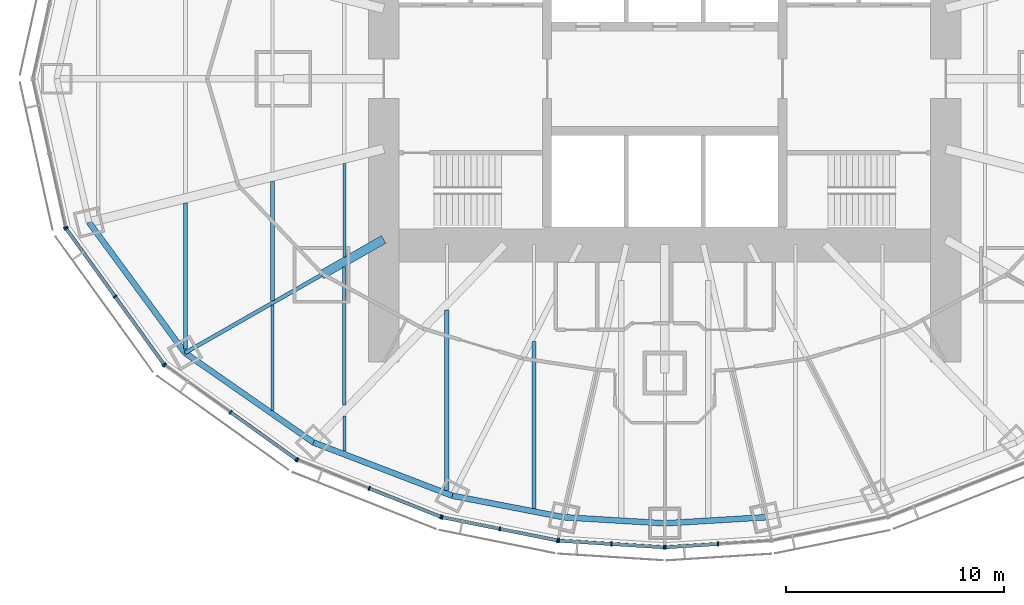
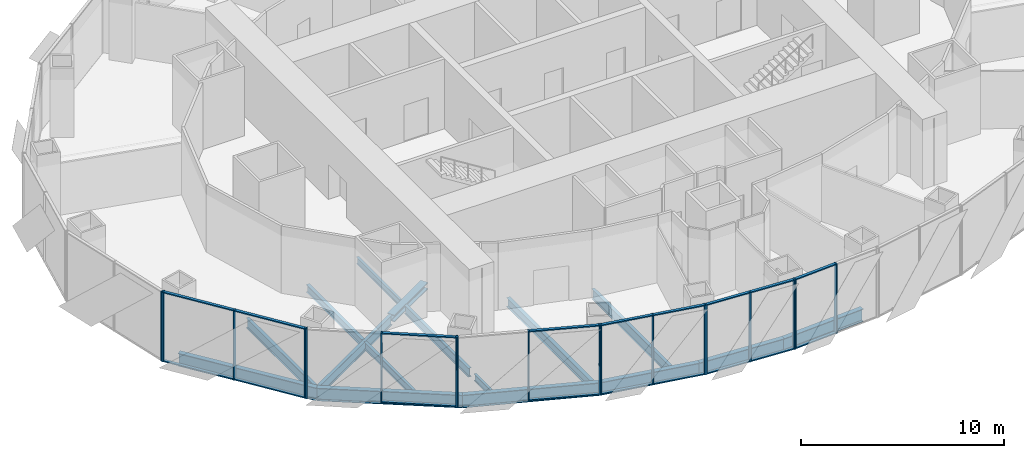
# One storey, part 2 of 18: 36 members, 16 beams, 7 elements without a shape of their own.
"""IFC4 building model written with IfcOpenShell, lengths in metres."""

from ifc_helpers import new_model, si_unit, direction, frame, origin, origin_2d, place, context, subcontext, project, spatial, rectangle, i_section, extrude, material, material_profile, profile_set, type_object, element, aggregate, save


model = new_model("IFC4")

# Units and contexts
model_context = context("Model", 3, precision=1e-05, world=origin(), true_north=direction((0.0, 1.0)))
body_context = subcontext(model_context, "Body", "Model", "MODEL_VIEW")
ifc_project = project(units=[si_unit("LENGTHUNIT", "METRE"), si_unit("AREAUNIT", "SQUARE_METRE"), si_unit("VOLUMEUNIT", "CUBIC_METRE"), si_unit("PLANEANGLEUNIT", "RADIAN"), si_unit("MASSUNIT", "GRAM", prefix="KILO")], contexts=[model_context])

# Site, building, storey
site_placement = place(None, origin())
site = spatial("IfcSite", under=ifc_project, at=site_placement, CompositionType="ELEMENT")
building_placement = place(site_placement, origin())
building = spatial("IfcBuilding", under=site, at=building_placement, Name="Lantaw Convention Tower", CompositionType="ELEMENT")
storey_placement = place(building_placement, frame((0.0, 0.0, 138.39990234375)))
storey = spatial("IfcBuildingStorey", under=building, at=storey_placement, Name="L32", CompositionType="ELEMENT", Elevation=138.39990234375)

# Beams
ifc_material_1 = material(Name="Steel ASTM A992", Category="steel")
ifc_material_profile_1 = material_profile(ifc_material_1, i_section(OverallWidth=0.2666015625, OverallDepth=0.76953125, WebThickness=0.015625, FlangeThickness=0.025390625, FilletRadius=0.0126953125, at=origin_2d()), Name="W30X132")
ifc_profile_set_1 = profile_set([ifc_material_profile_1], Name="Steel ASTM A992")
beam_type_1 = type_object("IfcBeamType", Name="Beam E W30X132", PredefinedType="SPANDREL", material=ifc_profile_set_1)
beam_1_placement = place(storey_placement, frame((-26.419921875, -6.587158203125, -0.53466796875), z_axis=(0.5923891972, -0.805651934176, 0.0), x_axis=(0.805651934176, 0.5923891972, 0.0)))
element("IfcBeam", 1, at=beam_1_placement, inside=storey, type_object=beam_type_1, Name="Edge beam 14", PredefinedType="SPANDREL", context=body_context, shape_type="SweptSolid", body=[
    extrude(i_section(OverallWidth=0.2666015625, OverallDepth=0.76953125, WebThickness=0.015625, FlangeThickness=0.025390625, FilletRadius=0.0126953125, at=origin_2d()), origin(), (0.0, 0.0, 1.0), 7.437744140625),
])
beam_2_placement = place(storey_placement, frame((-22.013916015625, -12.579345703125, -0.53466796875), z_axis=(0.820310765287, -0.57191804339, 0.0), x_axis=(0.57191804339, 0.820310765287, 0.0)))
element("IfcBeam", 2, at=beam_2_placement, inside=storey, type_object=beam_type_1, Name="Edge beam 15", PredefinedType="SPANDREL", context=body_context, shape_type="SweptSolid", body=[
    extrude(i_section(OverallWidth=0.2666015625, OverallDepth=0.76953125, WebThickness=0.015625, FlangeThickness=0.025390625, FilletRadius=0.0126953125, at=origin_2d()), origin(), (0.0, 0.0, 1.0), 7.187744140625),
])
beam_3_placement = place(storey_placement, frame((-16.11767578125, -16.690185546875, -0.53466796875), z_axis=(0.933691081977, -0.358079549033, 0.0), x_axis=(0.358079549033, 0.933691081977, 0.0)))
element("IfcBeam", 3, at=beam_3_placement, inside=storey, type_object=beam_type_1, Name="Edge beam 16", PredefinedType="SPANDREL", context=body_context, shape_type="SweptSolid", body=[
    extrude(i_section(OverallWidth=0.2666015625, OverallDepth=0.76953125, WebThickness=0.015625, FlangeThickness=0.025390625, FilletRadius=0.0126953125, at=origin_2d()), origin(), (0.0, 0.0, 1.0), 6.821533203125),
])
beam_4_placement = place(storey_placement, frame((-9.74853515625, -19.1328125, -0.53466796875), z_axis=(0.981796805654, -0.189934284446, 0.0), x_axis=(0.189934284446, 0.981796805654, 0.0)))
element("IfcBeam", 4, at=beam_4_placement, inside=storey, type_object=beam_type_1, Name="Edge beam 17", PredefinedType="SPANDREL", context=body_context, shape_type="SweptSolid", body=[
    extrude(i_section(OverallWidth=0.2666015625, OverallDepth=0.76953125, WebThickness=0.015625, FlangeThickness=0.025390625, FilletRadius=0.0126953125, at=origin_2d()), origin(), (0.0, 0.0, 1.0), 5.1982421875),
])
for number, where, z_axis, x_axis, name in (
    (5, (-4.64501953125, -20.1201171875, -0.53466796875), (0.998190892054, -0.06012439621, 0.0), (0.06012439621, 0.998190892054, 0.0), "Edge beam 18"),
    (6, (0.0, -20.39990234375, -0.53466796875), (0.998190892054, 0.06012439621, 0.0), (-0.06012439621, 0.998190892054, 0.0), "Edge beam 19"),
):
    element("IfcBeam", number, at=place(storey_placement, frame(where, z_axis=z_axis, x_axis=x_axis)), inside=storey, type_object=beam_type_1, Name=name, PredefinedType="SPANDREL", context=body_context, shape_type="SweptSolid", body=[
        extrude(i_section(OverallWidth=0.2666015625, OverallDepth=0.76953125, WebThickness=0.015625, FlangeThickness=0.025390625, FilletRadius=0.0126953125, at=origin_2d()), origin(), (0.0, 0.0, 1.0), 4.6533203125),
    ])
ifc_material_profile_2 = material_profile(ifc_material_1, i_section(OverallWidth=0.177978515625, OverallDepth=0.599365234375, WebThickness=0.010009765625, FlangeThickness=0.012939453125, FilletRadius=0.012939453125, at=origin_2d()), Name="W24X55")
ifc_profile_set_2 = profile_set([ifc_material_profile_2], Name="Steel ASTM A992")
beam_type_2 = type_object("IfcBeamType", Name="Beam G W24X55", PredefinedType="BEAM", material=ifc_profile_set_2)
beam_5_placement = place(storey_placement, frame((-15.75, -9.0, -0.44970703125), z_axis=(-0.868245224608, -0.496135293993, 0.0), x_axis=(0.496135293993, -0.868245224608, 0.0)))
element("IfcBeam", 7, at=beam_5_placement, inside=storey, type_object=beam_type_2, Name="Floor girder on ray 15", PredefinedType="BEAM", context=body_context, shape_type="SweptSolid", body=[
    extrude(i_section(OverallWidth=0.177978515625, OverallDepth=0.599365234375, WebThickness=0.010009765625, FlangeThickness=0.012939453125, FilletRadius=0.012939453125, at=origin_2d()), origin(), (0.0, 0.0, 1.0), 7.21435546875),
])
ifc_material_profile_3 = material_profile(ifc_material_1, i_section(OverallWidth=0.40380859375, OverallDepth=0.406494140625, WebThickness=0.027099609375, FlangeThickness=0.043701171875, FilletRadius=0.01513671875, at=origin_2d()), Name="W14X233")
ifc_profile_set_3 = profile_set([ifc_material_profile_3], Name="Steel ASTM A992")
beam_type_3 = type_object("IfcBeamType", Name="Beam GM W14X233", PredefinedType="BEAM", material=ifc_profile_set_3)
beam_6_placement = place(storey_placement, frame((-12.89990234375, -7.371337890625, -0.35302734375), z_axis=(-0.868238565244, -0.496146947811, 0.0), x_axis=(0.496146947811, -0.868238565244, 0.0)))
element("IfcBeam", 8, at=beam_6_placement, inside=storey, type_object=beam_type_3, Name="Core link beam on ray 15", PredefinedType="BEAM", context=body_context, shape_type="SweptSolid", body=[
    extrude(i_section(OverallWidth=0.40380859375, OverallDepth=0.406494140625, WebThickness=0.027099609375, FlangeThickness=0.043701171875, FilletRadius=0.01513671875, at=origin_2d()), origin(), (0.0, 0.0, 1.0), 3.28271484375),
])
ifc_material_profile_4 = material_profile(ifc_material_1, i_section(OverallWidth=0.140380859375, OverallDepth=0.40380859375, WebThickness=0.007080078125, FlangeThickness=0.01123046875, FilletRadius=0.01025390625, at=origin_2d()), Name="W16X31")
ifc_profile_set_4 = profile_set([ifc_material_profile_4], Name="Steel ASTM A992")
beam_type_4 = type_object("IfcBeamType", Name="Beam J W16X31", PredefinedType="JOIST", material=ifc_profile_set_4)
beam_7_placement = place(storey_placement, frame((-14.699951171875, -17.091064453125, -0.351806640625), z_axis=(0.0, 1.0, 0.0), x_axis=(-1.0, 0.0, 0.0)))
element("IfcBeam", 9, at=beam_7_placement, inside=storey, type_object=beam_type_4, Name="Floor joist", PredefinedType="JOIST", context=body_context, shape_type="SweptSolid", body=[
    extrude(i_section(OverallWidth=0.140380859375, OverallDepth=0.40380859375, WebThickness=0.007080078125, FlangeThickness=0.01123046875, FilletRadius=0.01025390625, at=origin_2d()), origin(), (0.0, 0.0, 1.0), 1.609130859375),
])
beam_8_placement = place(storey_placement, frame((-14.699951171875, -8.16748046875, -0.351806640625), z_axis=(0.0, 1.0, 0.0), x_axis=(-1.0, 0.0, 0.0)))
element("IfcBeam", 10, at=beam_8_placement, inside=storey, type_object=beam_type_4, Name="Floor joist", PredefinedType="JOIST", context=body_context, shape_type="SweptSolid", body=[
    extrude(i_section(OverallWidth=0.140380859375, OverallDepth=0.40380859375, WebThickness=0.007080078125, FlangeThickness=0.01123046875, FilletRadius=0.01025390625, at=origin_2d()), origin(), (0.0, 0.0, 1.0), 4.28515625),
])
ifc_material_profile_5 = material_profile(ifc_material_1, i_section(OverallWidth=0.15234375, OverallDepth=0.449462890625, WebThickness=0.007568359375, FlangeThickness=0.0107421875, FilletRadius=0.01025390625, at=origin_2d()), Name="W18X35")
ifc_profile_set_5 = profile_set([ifc_material_profile_5], Name="Steel ASTM A992")
beam_type_5 = type_object("IfcBeamType", Name="Beam J W18X35", PredefinedType="JOIST", material=ifc_profile_set_5)
beam_9_placement = place(storey_placement, frame((-18.0, -15.21533203125, -0.374755859375), z_axis=(0.0, 1.0, 0.0), x_axis=(-1.0, 0.0, 0.0)))
element("IfcBeam", 11, at=beam_9_placement, inside=storey, type_object=beam_type_5, Name="Floor joist", PredefinedType="JOIST", context=body_context, shape_type="SweptSolid", body=[
    extrude(i_section(OverallWidth=0.15234375, OverallDepth=0.449462890625, WebThickness=0.007568359375, FlangeThickness=0.0107421875, FilletRadius=0.01025390625, at=origin_2d()), origin(), (0.0, 0.0, 1.0), 4.8271484375),
])
ifc_material_profile_6 = material_profile(ifc_material_1, i_section(OverallWidth=0.1904296875, OverallDepth=0.457275390625, WebThickness=0.009033203125, FlangeThickness=0.014404296875, FilletRadius=0.01025390625, at=origin_2d()), Name="W18X50")
ifc_profile_set_6 = profile_set([ifc_material_profile_6], Name="Steel ASTM A992")
beam_type_6 = type_object("IfcBeamType", Name="Beam J W18X50", PredefinedType="JOIST", material=ifc_profile_set_6)
beam_10_placement = place(storey_placement, frame((-18.0, -10.18310546875, -0.37841796875), z_axis=(0.0, 1.0, 0.0), x_axis=(-1.0, 0.0, 0.0)))
element("IfcBeam", 12, at=beam_10_placement, inside=storey, type_object=beam_type_6, Name="Floor joist", PredefinedType="JOIST", context=body_context, shape_type="SweptSolid", body=[
    extrude(i_section(OverallWidth=0.1904296875, OverallDepth=0.457275390625, WebThickness=0.009033203125, FlangeThickness=0.014404296875, FilletRadius=0.01025390625, at=origin_2d()), origin(), (0.0, 0.0, 1.0), 5.47802734375),
])
ifc_material_profile_7 = material_profile(ifc_material_1, i_section(OverallWidth=0.1650390625, OverallDepth=0.52587890625, WebThickness=0.0087890625, FlangeThickness=0.011474609375, FilletRadius=0.0126953125, at=origin_2d()), Name="W21X44")
ifc_profile_set_7 = profile_set([ifc_material_profile_7], Name="Steel ASTM A992")
beam_type_7 = type_object("IfcBeamType", Name="Beam J W21X44", PredefinedType="JOIST", material=ifc_profile_set_7)
beam_11_placement = place(storey_placement, frame((-14.699951171875, -14.962646484375, -0.412841796875), z_axis=(0.0, 1.0, 0.0), x_axis=(-1.0, 0.0, 0.0)))
element("IfcBeam", 13, at=beam_11_placement, inside=storey, type_object=beam_type_7, Name="Floor joist", PredefinedType="JOIST", context=body_context, shape_type="SweptSolid", body=[
    extrude(i_section(OverallWidth=0.1650390625, OverallDepth=0.52587890625, WebThickness=0.0087890625, FlangeThickness=0.011474609375, FilletRadius=0.0126953125, at=origin_2d()), origin(), (0.0, 0.0, 1.0), 6.330078125),
])
ifc_material_profile_8 = material_profile(ifc_material_1, i_section(OverallWidth=0.2099609375, OverallDepth=0.535888671875, WebThickness=0.010986328125, FlangeThickness=0.017333984375, FilletRadius=0.012939453125, at=origin_2d()), Name="W21X68")
ifc_profile_set_8 = profile_set([ifc_material_profile_8], Name="Steel ASTM A992")
beam_type_8 = type_object("IfcBeamType", Name="Beam J W21X68", PredefinedType="JOIST", material=ifc_profile_set_8)
beam_12_placement = place(storey_placement, frame((-10.0, -18.8935546875, -0.41796875), z_axis=(0.0, 1.0, 0.0), x_axis=(-1.0, 0.0, 0.0)))
element("IfcBeam", 14, at=beam_12_placement, inside=storey, type_object=beam_type_8, Name="Floor joist", PredefinedType="JOIST", context=body_context, shape_type="SweptSolid", body=[
    extrude(i_section(OverallWidth=0.2099609375, OverallDepth=0.535888671875, WebThickness=0.010986328125, FlangeThickness=0.017333984375, FilletRadius=0.012939453125, at=origin_2d()), origin(), (0.0, 0.0, 1.0), 8.278564453125),
])
ifc_material_profile_9 = material_profile(ifc_material_1, i_section(OverallWidth=0.177978515625, OverallDepth=0.599365234375, WebThickness=0.010009765625, FlangeThickness=0.012939453125, FilletRadius=0.012939453125, at=origin_2d()), Name="W24X55")
ifc_profile_set_9 = profile_set([ifc_material_profile_9], Name="Steel ASTM A992")
beam_type_9 = type_object("IfcBeamType", Name="Beam J W24X55", PredefinedType="JOIST", material=ifc_profile_set_9)
beam_13_placement = place(storey_placement, frame((-22.0, -12.408935546875, -0.44970703125), z_axis=(0.0, 1.0, 0.0), x_axis=(-1.0, 0.0, 0.0)))
element("IfcBeam", 15, at=beam_13_placement, inside=storey, type_object=beam_type_9, Name="Floor joist", PredefinedType="JOIST", context=body_context, shape_type="SweptSolid", body=[
    extrude(i_section(OverallWidth=0.177978515625, OverallDepth=0.599365234375, WebThickness=0.010009765625, FlangeThickness=0.012939453125, FilletRadius=0.012939453125, at=origin_2d()), origin(), (0.0, 0.0, 1.0), 6.70654296875),
])
beam_14_placement = place(storey_placement, frame((-6.0, -19.72216796875, -0.44970703125), z_axis=(0.0, 1.0, 0.0), x_axis=(-1.0, 0.0, 0.0)))
element("IfcBeam", 16, at=beam_14_placement, inside=storey, type_object=beam_type_9, Name="Floor joist", PredefinedType="JOIST", context=body_context, shape_type="SweptSolid", body=[
    extrude(i_section(OverallWidth=0.177978515625, OverallDepth=0.599365234375, WebThickness=0.010009765625, FlangeThickness=0.012939453125, FilletRadius=0.012939453125, at=origin_2d()), origin(), (0.0, 0.0, 1.0), 7.666748046875),
])

# Curtain wall, member
ifc_material_2 = material(Name="Aluminium framed curtain wall", Category="aluminium")
curtain_wall_type = type_object("IfcCurtainWallType", Name="Office curtain wall low rise, pale aluminium", PredefinedType="USERDEFINED", material=ifc_material_2)
curtain_wall_1_placement = place(storey_placement, origin())
curtain_wall_1 = element("IfcCurtainWall", 17, at=curtain_wall_1_placement, inside=storey, type_object=curtain_wall_type, Name="Office curtain wall low rise, pale aluminium L32", ObjectType="UNITISED CURTAIN WALL", PredefinedType="USERDEFINED")
ifc_material_3 = material(Name="Aluminium 6063-T6", Category="aluminium")
ifc_material_profile_10 = material_profile(ifc_material_3, rectangle(XDim=0.199951171875, YDim=0.06494140625, at=origin_2d()), Name="CW-O1 mullion 65x200")
ifc_profile_set_10 = profile_set([ifc_material_profile_10], Name="Aluminium 6063-T6")
member_type_1 = type_object("IfcMemberType", Name="CW-O1 mullion 65x200", PredefinedType="MULLION", material=ifc_profile_set_10)
member_1_placement = place(storey_placement, frame((-27.494140625, -6.821533203125, -0.14990234375), z_axis=(0.0, 0.0, 1.0), x_axis=(0.9764936509, 0.215546166174, 0.0)))
member_1 = element("IfcMember", 18, at=member_1_placement, type_object=member_type_1, Name="CW-O1 mullion 3", PredefinedType="MULLION", context=body_context, shape_type="SweptSolid", body=[
    extrude(rectangle(XDim=0.199951171875, YDim=0.06494140625, at=origin_2d()), origin(), (0.0, 0.0, 1.0), 4.199951171875),
])
aggregate(curtain_wall_1, [member_1])

# Curtain wall, members
curtain_wall_2_placement = place(storey_placement, origin())
curtain_wall_2 = element("IfcCurtainWall", 19, at=curtain_wall_2_placement, inside=storey, type_object=curtain_wall_type, Name="Office curtain wall low rise, pale aluminium L32", ObjectType="UNITISED CURTAIN WALL", PredefinedType="USERDEFINED")
member_2_placement = place(storey_placement, frame((-27.46826171875, -6.879638671875, -0.14990234375), z_axis=(0.0, 0.0, 1.0), x_axis=(0.811384633629, 0.584512597221, 0.0)))
member_2 = element("IfcMember", 20, at=member_2_placement, type_object=member_type_1, Name="CW-O1 mullion 1", PredefinedType="MULLION", context=body_context, shape_type="SweptSolid", body=[
    extrude(rectangle(XDim=0.199951171875, YDim=0.06494140625, at=origin_2d()), origin(), (0.0, 0.0, 1.0), 4.199951171875),
])
member_3_placement = place(storey_placement, frame((-25.22802734375, -9.9892578125, -0.14990234375), z_axis=(0.0, 0.0, 1.0), x_axis=(0.811384633629, 0.584512597221, 0.0)))
member_3 = element("IfcMember", 21, at=member_3_placement, type_object=member_type_1, Name="CW-O1 mullion 2", PredefinedType="MULLION", context=body_context, shape_type="SweptSolid", body=[
    extrude(rectangle(XDim=0.199951171875, YDim=0.06494140625, at=origin_2d()), origin(), (0.0, 0.0, 1.0), 4.199951171875),
])
member_4_placement = place(storey_placement, frame((-22.988037109375, -13.098876953125, -0.14990234375), z_axis=(0.0, 0.0, 1.0), x_axis=(0.811384633629, 0.584512597221, 0.0)))
member_4 = element("IfcMember", 22, at=member_4_placement, type_object=member_type_1, Name="CW-O1 mullion 3", PredefinedType="MULLION", context=body_context, shape_type="SweptSolid", body=[
    extrude(rectangle(XDim=0.199951171875, YDim=0.06494140625, at=origin_2d()), origin(), (0.0, 0.0, 1.0), 4.199951171875),
])

curtain_wall_3_placement = place(storey_placement, origin())
curtain_wall_3 = element("IfcCurtainWall", 23, at=curtain_wall_3_placement, inside=storey, type_object=curtain_wall_type, Name="Office curtain wall low rise, pale aluminium L32", ObjectType="UNITISED CURTAIN WALL", PredefinedType="USERDEFINED")
member_5_placement = place(storey_placement, frame((-22.942626953125, -13.14404296875, -0.14990234375), z_axis=(0.0, 0.0, 1.0), x_axis=(0.581972695693, 0.813208325995, 0.0)))
member_5 = element("IfcMember", 24, at=member_5_placement, type_object=member_type_1, Name="CW-O1 mullion 1", PredefinedType="MULLION", context=body_context, shape_type="SweptSolid", body=[
    extrude(rectangle(XDim=0.199951171875, YDim=0.06494140625, at=origin_2d()), origin(), (0.0, 0.0, 1.0), 4.199951171875),
])
member_6_placement = place(storey_placement, frame((-19.92529296875, -15.303466796875, -0.14990234375), z_axis=(0.0, 0.0, 1.0), x_axis=(0.581972695693, 0.813208325995, 0.0)))
member_6 = element("IfcMember", 25, at=member_6_placement, type_object=member_type_1, Name="CW-O1 mullion 2", PredefinedType="MULLION", context=body_context, shape_type="SweptSolid", body=[
    extrude(rectangle(XDim=0.199951171875, YDim=0.06494140625, at=origin_2d()), origin(), (0.0, 0.0, 1.0), 4.199951171875),
])
member_7_placement = place(storey_placement, frame((-16.908203125, -17.462646484375, -0.14990234375), z_axis=(0.0, 0.0, 1.0), x_axis=(0.581972695693, 0.813208325995, 0.0)))
member_7 = element("IfcMember", 26, at=member_7_placement, type_object=member_type_1, Name="CW-O1 mullion 3", PredefinedType="MULLION", context=body_context, shape_type="SweptSolid", body=[
    extrude(rectangle(XDim=0.199951171875, YDim=0.06494140625, at=origin_2d()), origin(), (0.0, 0.0, 1.0), 4.199951171875),
])

curtain_wall_4_placement = place(storey_placement, origin())
curtain_wall_4 = element("IfcCurtainWall", 27, at=curtain_wall_4_placement, inside=storey, type_object=curtain_wall_type, Name="Office curtain wall low rise, pale aluminium L32", ObjectType="UNITISED CURTAIN WALL", PredefinedType="USERDEFINED")
member_8_placement = place(storey_placement, frame((-16.8515625, -17.49365234375, -0.14990234375), z_axis=(0.0, 0.0, 1.0), x_axis=(0.368701907483, 0.929547687544, 0.0)))
member_8 = element("IfcMember", 28, at=member_8_placement, type_object=member_type_1, Name="CW-O1 mullion 1", PredefinedType="MULLION", context=body_context, shape_type="SweptSolid", body=[
    extrude(rectangle(XDim=0.199951171875, YDim=0.06494140625, at=origin_2d()), origin(), (0.0, 0.0, 1.0), 4.199951171875),
])
member_9_placement = place(storey_placement, frame((-13.56494140625, -18.797119140625, -0.14990234375), z_axis=(0.0, 0.0, 1.0), x_axis=(0.368701907483, 0.929547687544, 0.0)))
member_9 = element("IfcMember", 29, at=member_9_placement, type_object=member_type_1, Name="CW-O1 mullion 2", PredefinedType="MULLION", context=body_context, shape_type="SweptSolid", body=[
    extrude(rectangle(XDim=0.199951171875, YDim=0.06494140625, at=origin_2d()), origin(), (0.0, 0.0, 1.0), 4.199951171875),
])
member_10_placement = place(storey_placement, frame((-10.2783203125, -20.100830078125, -0.14990234375), z_axis=(0.0, 0.0, 1.0), x_axis=(0.368701907483, 0.929547687544, 0.0)))
member_10 = element("IfcMember", 30, at=member_10_placement, type_object=member_type_1, Name="CW-O1 mullion 3", PredefinedType="MULLION", context=body_context, shape_type="SweptSolid", body=[
    extrude(rectangle(XDim=0.199951171875, YDim=0.06494140625, at=origin_2d()), origin(), (0.0, 0.0, 1.0), 4.199951171875),
])

curtain_wall_5_placement = place(storey_placement, origin())
curtain_wall_5 = element("IfcCurtainWall", 31, at=curtain_wall_5_placement, inside=storey, type_object=curtain_wall_type, Name="Office curtain wall low rise, pale aluminium L32", ObjectType="UNITISED CURTAIN WALL", PredefinedType="USERDEFINED")
member_11_placement = place(storey_placement, frame((-10.216064453125, -20.119140625, -0.14990234375), z_axis=(0.0, 0.0, 1.0), x_axis=(0.197506809659, 0.980301514912, 0.0)))
member_11 = element("IfcMember", 32, at=member_11_placement, type_object=member_type_1, Name="CW-O1 mullion 1", PredefinedType="MULLION", context=body_context, shape_type="SweptSolid", body=[
    extrude(rectangle(XDim=0.199951171875, YDim=0.06494140625, at=origin_2d()), origin(), (0.0, 0.0, 1.0), 4.199951171875),
])
member_12_placement = place(storey_placement, frame((-7.5703125, -20.65234375, -0.14990234375), z_axis=(0.0, 0.0, 1.0), x_axis=(0.197506809659, 0.980301514912, 0.0)))
member_12 = element("IfcMember", 33, at=member_12_placement, type_object=member_type_1, Name="CW-O1 mullion 2", PredefinedType="MULLION", context=body_context, shape_type="SweptSolid", body=[
    extrude(rectangle(XDim=0.199951171875, YDim=0.06494140625, at=origin_2d()), origin(), (0.0, 0.0, 1.0), 4.199951171875),
])
member_13_placement = place(storey_placement, frame((-4.92431640625, -21.185302734375, -0.14990234375), z_axis=(0.0, 0.0, 1.0), x_axis=(0.197506809659, 0.980301514912, 0.0)))
member_13 = element("IfcMember", 34, at=member_13_placement, type_object=member_type_1, Name="CW-O1 mullion 3", PredefinedType="MULLION", context=body_context, shape_type="SweptSolid", body=[
    extrude(rectangle(XDim=0.199951171875, YDim=0.06494140625, at=origin_2d()), origin(), (0.0, 0.0, 1.0), 4.199951171875),
])

curtain_wall_6_placement = place(storey_placement, origin())
curtain_wall_6 = element("IfcCurtainWall", 35, at=curtain_wall_6_placement, inside=storey, type_object=curtain_wall_type, Name="Office curtain wall low rise, pale aluminium L32", ObjectType="UNITISED CURTAIN WALL", PredefinedType="USERDEFINED")
member_14_placement = place(storey_placement, frame((-4.860107421875, -21.19384765625, -0.14990234375), z_axis=(0.0, 0.0, 1.0), x_axis=(0.062865059466, 0.998022035978, 0.0)))
member_14 = element("IfcMember", 36, at=member_14_placement, type_object=member_type_1, Name="CW-O1 mullion 1", PredefinedType="MULLION", context=body_context, shape_type="SweptSolid", body=[
    extrude(rectangle(XDim=0.199951171875, YDim=0.06494140625, at=origin_2d()), origin(), (0.0, 0.0, 1.0), 4.199951171875),
])
member_15_placement = place(storey_placement, frame((-2.4462890625, -21.345947265625, -0.14990234375), z_axis=(0.0, 0.0, 1.0), x_axis=(0.062865059466, 0.998022035978, 0.0)))
member_15 = element("IfcMember", 37, at=member_15_placement, type_object=member_type_1, Name="CW-O1 mullion 2", PredefinedType="MULLION", context=body_context, shape_type="SweptSolid", body=[
    extrude(rectangle(XDim=0.199951171875, YDim=0.06494140625, at=origin_2d()), origin(), (0.0, 0.0, 1.0), 4.199951171875),
])
member_16_placement = place(storey_placement, frame((-0.032470703125, -21.498046875, -0.14990234375), z_axis=(0.0, 0.0, 1.0), x_axis=(0.062865059466, 0.998022035978, 0.0)))
member_16 = element("IfcMember", 38, at=member_16_placement, type_object=member_type_1, Name="CW-O1 mullion 3", PredefinedType="MULLION", context=body_context, shape_type="SweptSolid", body=[
    extrude(rectangle(XDim=0.199951171875, YDim=0.06494140625, at=origin_2d()), origin(), (0.0, 0.0, 1.0), 4.199951171875),
])

curtain_wall_7_placement = place(storey_placement, origin())
curtain_wall_7 = element("IfcCurtainWall", 39, at=curtain_wall_7_placement, inside=storey, type_object=curtain_wall_type, Name="Office curtain wall low rise, pale aluminium L32", ObjectType="UNITISED CURTAIN WALL", PredefinedType="USERDEFINED")
member_17_placement = place(storey_placement, frame((0.032470703125, -21.498046875, -0.14990234375), z_axis=(0.0, 0.0, 1.0), x_axis=(-0.062865059466, 0.998022035978, 0.0)))
member_17 = element("IfcMember", 40, at=member_17_placement, type_object=member_type_1, Name="CW-O1 mullion 1", PredefinedType="MULLION", context=body_context, shape_type="SweptSolid", body=[
    extrude(rectangle(XDim=0.199951171875, YDim=0.06494140625, at=origin_2d()), origin(), (0.0, 0.0, 1.0), 4.199951171875),
])
member_18_placement = place(storey_placement, frame((2.4462890625, -21.345947265625, -0.14990234375), z_axis=(0.0, 0.0, 1.0), x_axis=(-0.062865059466, 0.998022035978, 0.0)))
member_18 = element("IfcMember", 41, at=member_18_placement, type_object=member_type_1, Name="CW-O1 mullion 2", PredefinedType="MULLION", context=body_context, shape_type="SweptSolid", body=[
    extrude(rectangle(XDim=0.199951171875, YDim=0.06494140625, at=origin_2d()), origin(), (0.0, 0.0, 1.0), 4.199951171875),
])

# Member
ifc_material_profile_11 = material_profile(ifc_material_3, rectangle(XDim=0.159912109375, YDim=0.06494140625, at=origin_2d()), Name="CW-O1 transom 65x160")
ifc_profile_set_11 = profile_set([ifc_material_profile_11], Name="Aluminium 6063-T6")
member_type_2 = type_object("IfcMemberType", Name="CW-O1 transom 65x160", PredefinedType="USERDEFINED", material=ifc_profile_set_11)
member_19_placement = place(storey_placement, frame((-27.44921875, -6.906005859375, -0.117431640625), z_axis=(0.584512973979, -0.811384362217, 0.0), x_axis=(0.811384362217, 0.584512973979, 0.0)))
member_19 = element("IfcMember", 42, at=member_19_placement, type_object=member_type_2, Name="CW-O1 transom 1.1", ObjectType="TRANSOM", PredefinedType="USERDEFINED", context=body_context, shape_type="SweptSolid", body=[
    extrude(rectangle(XDim=0.159912109375, YDim=0.06494140625, at=origin_2d()), origin(), (0.0, 0.0, 1.0), 3.767578125),
])

member_20_placement = place(storey_placement, frame((-27.44921875, -6.906005859375, 4.017578125), z_axis=(0.584512973979, -0.811384362217, 0.0), x_axis=(0.811384362217, 0.584512973979, 0.0)))
member_20 = element("IfcMember", 43, at=member_20_placement, type_object=member_type_2, Name="CW-O1 transom 1.2", ObjectType="TRANSOM", PredefinedType="USERDEFINED", context=body_context, shape_type="SweptSolid", body=[
    extrude(rectangle(XDim=0.159912109375, YDim=0.06494140625, at=origin_2d()), origin(), (0.0, 0.0, 1.0), 3.767578125),
])

member_21_placement = place(storey_placement, frame((-25.209228515625, -10.015625, -0.117431640625), z_axis=(0.584512973979, -0.811384362217, 0.0), x_axis=(0.811384362217, 0.584512973979, 0.0)))
member_21 = element("IfcMember", 44, at=member_21_placement, type_object=member_type_2, Name="CW-O1 transom 2.1", ObjectType="TRANSOM", PredefinedType="USERDEFINED", context=body_context, shape_type="SweptSolid", body=[
    extrude(rectangle(XDim=0.159912109375, YDim=0.06494140625, at=origin_2d()), origin(), (0.0, 0.0, 1.0), 3.767578125),
])

member_22_placement = place(storey_placement, frame((-25.209228515625, -10.015625, 4.017578125), z_axis=(0.584512973979, -0.811384362217, 0.0), x_axis=(0.811384362217, 0.584512973979, 0.0)))
member_22 = element("IfcMember", 45, at=member_22_placement, type_object=member_type_2, Name="CW-O1 transom 2.2", ObjectType="TRANSOM", PredefinedType="USERDEFINED", context=body_context, shape_type="SweptSolid", body=[
    extrude(rectangle(XDim=0.159912109375, YDim=0.06494140625, at=origin_2d()), origin(), (0.0, 0.0, 1.0), 3.767578125),
])

aggregate(curtain_wall_2, [member_2, member_3, member_4, member_19, member_20, member_21, member_22])

member_23_placement = place(storey_placement, frame((-19.89892578125, -15.322265625, -0.117431640625), z_axis=(0.813190089133, -0.581998177777, 0.0), x_axis=(0.581998177777, 0.813190089133, 0.0)))
member_23 = element("IfcMember", 46, at=member_23_placement, type_object=member_type_2, Name="CW-O1 transom 2.1", ObjectType="TRANSOM", PredefinedType="USERDEFINED", context=body_context, shape_type="SweptSolid", body=[
    extrude(rectangle(XDim=0.159912109375, YDim=0.06494140625, at=origin_2d()), origin(), (0.0, 0.0, 1.0), 3.645263671875),
])

member_24_placement = place(storey_placement, frame((-19.89892578125, -15.322265625, 4.017578125), z_axis=(0.813190089133, -0.581998177777, 0.0), x_axis=(0.581998177777, 0.813190089133, 0.0)))
member_24 = element("IfcMember", 47, at=member_24_placement, type_object=member_type_2, Name="CW-O1 transom 2.2", ObjectType="TRANSOM", PredefinedType="USERDEFINED", context=body_context, shape_type="SweptSolid", body=[
    extrude(rectangle(XDim=0.159912109375, YDim=0.06494140625, at=origin_2d()), origin(), (0.0, 0.0, 1.0), 3.645263671875),
])

aggregate(curtain_wall_3, [member_5, member_6, member_7, member_23, member_24])

member_25_placement = place(storey_placement, frame((-13.53466796875, -18.80908203125, -0.117431640625), z_axis=(0.929540081544, -0.368721082668, 0.0), x_axis=(0.368721082668, 0.929540081544, 0.0)))
member_25 = element("IfcMember", 48, at=member_25_placement, type_object=member_type_2, Name="CW-O1 transom 2.1", ObjectType="TRANSOM", PredefinedType="USERDEFINED", context=body_context, shape_type="SweptSolid", body=[
    extrude(rectangle(XDim=0.159912109375, YDim=0.06494140625, at=origin_2d()), origin(), (0.0, 0.0, 1.0), 3.470947265625),
])

member_26_placement = place(storey_placement, frame((-13.53466796875, -18.80908203125, 4.017578125), z_axis=(0.929540081544, -0.368721082668, 0.0), x_axis=(0.368721082668, 0.929540081544, 0.0)))
member_26 = element("IfcMember", 49, at=member_26_placement, type_object=member_type_2, Name="CW-O1 transom 2.2", ObjectType="TRANSOM", PredefinedType="USERDEFINED", context=body_context, shape_type="SweptSolid", body=[
    extrude(rectangle(XDim=0.159912109375, YDim=0.06494140625, at=origin_2d()), origin(), (0.0, 0.0, 1.0), 3.470947265625),
])

aggregate(curtain_wall_4, [member_8, member_9, member_10, member_25, member_26])

member_27_placement = place(storey_placement, frame((-10.184326171875, -20.125732421875, -0.117431640625), z_axis=(0.980301643003, -0.197506173891, 0.0), x_axis=(0.197506173891, 0.980301643003, 0.0)))
member_27 = element("IfcMember", 50, at=member_27_placement, type_object=member_type_2, Name="CW-O1 transom 1.1", ObjectType="TRANSOM", PredefinedType="USERDEFINED", context=body_context, shape_type="SweptSolid", body=[
    extrude(rectangle(XDim=0.159912109375, YDim=0.06494140625, at=origin_2d()), origin(), (0.0, 0.0, 1.0), 2.63427734375),
])

member_28_placement = place(storey_placement, frame((-10.184326171875, -20.125732421875, 4.017578125), z_axis=(0.980301643003, -0.197506173891, 0.0), x_axis=(0.197506173891, 0.980301643003, 0.0)))
member_28 = element("IfcMember", 51, at=member_28_placement, type_object=member_type_2, Name="CW-O1 transom 1.2", ObjectType="TRANSOM", PredefinedType="USERDEFINED", context=body_context, shape_type="SweptSolid", body=[
    extrude(rectangle(XDim=0.159912109375, YDim=0.06494140625, at=origin_2d()), origin(), (0.0, 0.0, 1.0), 2.63427734375),
])

member_29_placement = place(storey_placement, frame((-7.538330078125, -20.65869140625, -0.117431640625), z_axis=(0.980298027092, -0.197524120247, 0.0), x_axis=(0.197524120247, 0.980298027092, 0.0)))
member_29 = element("IfcMember", 52, at=member_29_placement, type_object=member_type_2, Name="CW-O1 transom 2.1", ObjectType="TRANSOM", PredefinedType="USERDEFINED", context=body_context, shape_type="SweptSolid", body=[
    extrude(rectangle(XDim=0.159912109375, YDim=0.06494140625, at=origin_2d()), origin(), (0.0, 0.0, 1.0), 2.634033203125),
])

member_30_placement = place(storey_placement, frame((-7.538330078125, -20.65869140625, 4.017578125), z_axis=(0.980298027092, -0.197524120247, 0.0), x_axis=(0.197524120247, 0.980298027092, 0.0)))
member_30 = element("IfcMember", 53, at=member_30_placement, type_object=member_type_2, Name="CW-O1 transom 2.2", ObjectType="TRANSOM", PredefinedType="USERDEFINED", context=body_context, shape_type="SweptSolid", body=[
    extrude(rectangle(XDim=0.159912109375, YDim=0.06494140625, at=origin_2d()), origin(), (0.0, 0.0, 1.0), 2.634033203125),
])

aggregate(curtain_wall_5, [member_11, member_12, member_13, member_27, member_28, member_29, member_30])

member_31_placement = place(storey_placement, frame((-4.82763671875, -21.19580078125, -0.117431640625), z_axis=(0.998022188463, -0.062862638625, 0.0), x_axis=(0.062862638625, 0.998022188463, 0.0)))
member_31 = element("IfcMember", 54, at=member_31_placement, type_object=member_type_2, Name="CW-O1 transom 1.1", ObjectType="TRANSOM", PredefinedType="USERDEFINED", context=body_context, shape_type="SweptSolid", body=[
    extrude(rectangle(XDim=0.159912109375, YDim=0.06494140625, at=origin_2d()), origin(), (0.0, 0.0, 1.0), 2.353515625),
])

member_32_placement = place(storey_placement, frame((-4.82763671875, -21.19580078125, 4.017578125), z_axis=(0.998022188463, -0.062862638625, 0.0), x_axis=(0.062862638625, 0.998022188463, 0.0)))
member_32 = element("IfcMember", 55, at=member_32_placement, type_object=member_type_2, Name="CW-O1 transom 1.2", ObjectType="TRANSOM", PredefinedType="USERDEFINED", context=body_context, shape_type="SweptSolid", body=[
    extrude(rectangle(XDim=0.159912109375, YDim=0.06494140625, at=origin_2d()), origin(), (0.0, 0.0, 1.0), 2.353515625),
])

member_33_placement = place(storey_placement, frame((-2.413818359375, -21.347900390625, -0.117431640625), z_axis=(0.998022188463, -0.062862638625, 0.0), x_axis=(0.062862638625, 0.998022188463, 0.0)))
member_33 = element("IfcMember", 56, at=member_33_placement, type_object=member_type_2, Name="CW-O1 transom 2.1", ObjectType="TRANSOM", PredefinedType="USERDEFINED", context=body_context, shape_type="SweptSolid", body=[
    extrude(rectangle(XDim=0.159912109375, YDim=0.06494140625, at=origin_2d()), origin(), (0.0, 0.0, 1.0), 2.353515625),
])

member_34_placement = place(storey_placement, frame((-2.413818359375, -21.347900390625, 4.017578125), z_axis=(0.998022188463, -0.062862638625, 0.0), x_axis=(0.062862638625, 0.998022188463, 0.0)))
member_34 = element("IfcMember", 57, at=member_34_placement, type_object=member_type_2, Name="CW-O1 transom 2.2", ObjectType="TRANSOM", PredefinedType="USERDEFINED", context=body_context, shape_type="SweptSolid", body=[
    extrude(rectangle(XDim=0.159912109375, YDim=0.06494140625, at=origin_2d()), origin(), (0.0, 0.0, 1.0), 2.353515625),
])

aggregate(curtain_wall_6, [member_14, member_15, member_16, member_31, member_32, member_33, member_34])

member_35_placement = place(storey_placement, frame((0.06494140625, -21.495849609375, -0.117431640625), z_axis=(0.998022188463, 0.062862638625, 0.0), x_axis=(-0.062862638625, 0.998022188463, 0.0)))
member_35 = element("IfcMember", 58, at=member_35_placement, type_object=member_type_2, Name="CW-O1 transom 1.1", ObjectType="TRANSOM", PredefinedType="USERDEFINED", context=body_context, shape_type="SweptSolid", body=[
    extrude(rectangle(XDim=0.159912109375, YDim=0.06494140625, at=origin_2d()), origin(), (0.0, 0.0, 1.0), 2.353515625),
])

member_36_placement = place(storey_placement, frame((0.06494140625, -21.495849609375, 4.017578125), z_axis=(0.998022188463, 0.062862638625, 0.0), x_axis=(-0.062862638625, 0.998022188463, 0.0)))
member_36 = element("IfcMember", 59, at=member_36_placement, type_object=member_type_2, Name="CW-O1 transom 1.2", ObjectType="TRANSOM", PredefinedType="USERDEFINED", context=body_context, shape_type="SweptSolid", body=[
    extrude(rectangle(XDim=0.159912109375, YDim=0.06494140625, at=origin_2d()), origin(), (0.0, 0.0, 1.0), 2.353515625),
])

aggregate(curtain_wall_7, [member_17, member_18, member_35, member_36])

save(model, "model.ifc")
